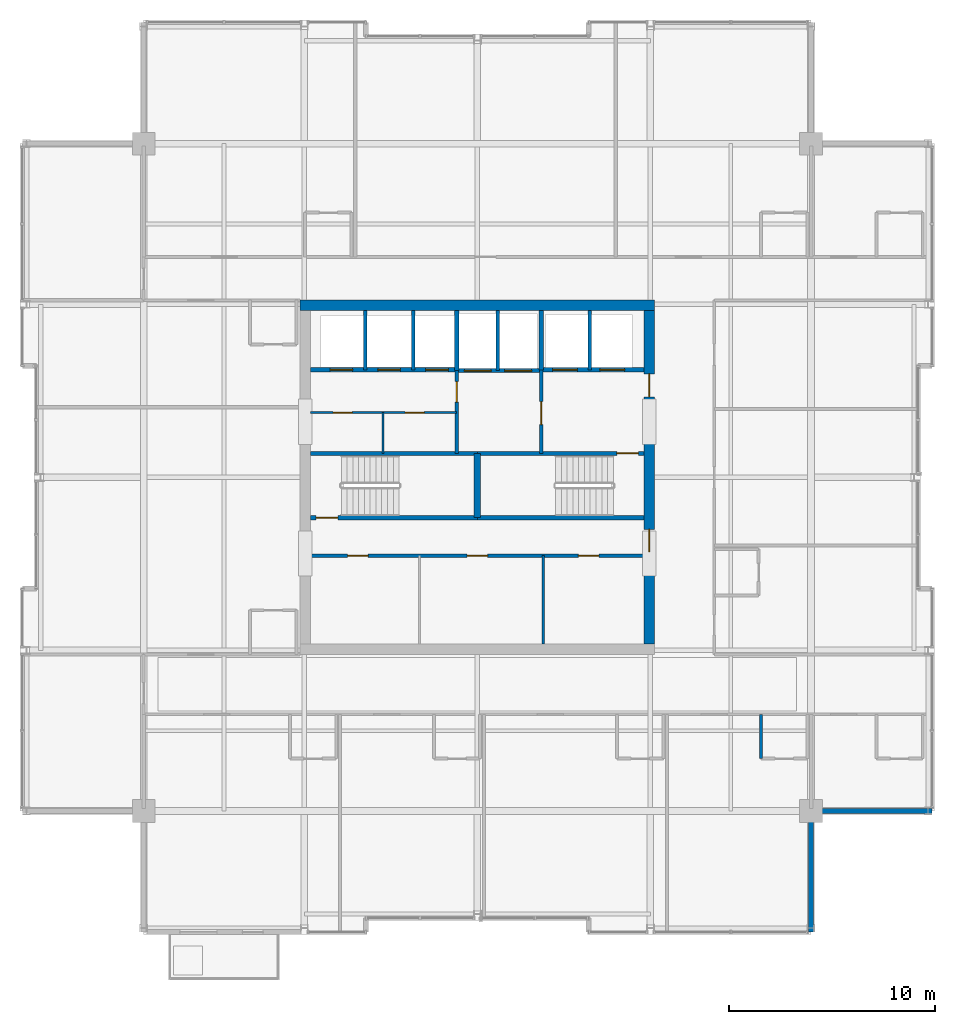
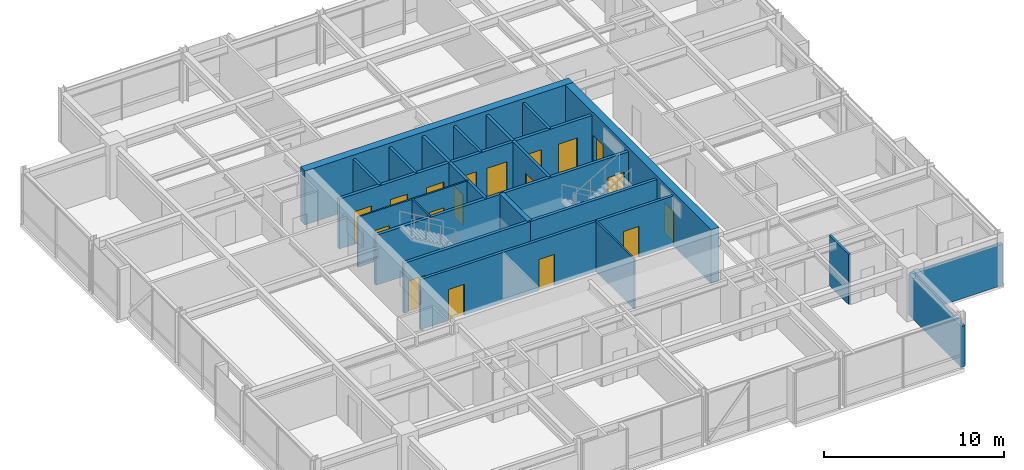
# One storey, part 29 of 34: 25 walls, 18 doors, 18 openings.
"""IFC4 building model written with IfcOpenShell, lengths in metres."""

import ifcopenshell
import ifcopenshell.guid

model = None  # the IFC model being written
_history = None  # IfcOwnerHistory: only IFC2X3 demands one
_inside = {}  # id of a spatial element -> (the spatial element, [elements in it])
_under = {}  # id of a project, library or spatial element -> (it, [spatial elements below it])
_declared = {}  # id of a project -> (the project, [libraries it declares])
_typed = {}  # id of a type object -> (the type object, [elements of that type])
_made_of = {}  # id of a material, layer set ... -> (it, [elements and type objects made of it])


def new_model(schema):
    """Start an empty IFC model of exactly this schema.

    Asked for "IFC4X3", IfcOpenShell would pick the latest addendum, in which some entities
    have other attributes; the version numbers below select the first issue.
    IFC2X3 requires an IfcOwnerHistory on every rooted entity: one is made here for all.
    """
    global model, _history
    if schema == "IFC4X3":
        model = ifcopenshell.file(schema_version=(4, 3, 0, 0))
    else:
        model = ifcopenshell.file(schema=schema)
    _inside.clear()
    _under.clear()
    _declared.clear()
    _typed.clear()
    _made_of.clear()
    _history = None
    if model.schema == "IFC2X3":
        org = make("IfcOrganization", Name="unknown")
        user = make(
            "IfcPersonAndOrganization",
            ThePerson=make("IfcPerson", FamilyName="unknown"),
            TheOrganization=org,
        )
        app = make(
            "IfcApplication",
            ApplicationDeveloper=org,
            Version="unknown",
            ApplicationFullName="unknown",
            ApplicationIdentifier="unknown",
        )
        _history = make(
            "IfcOwnerHistory",
            OwningUser=user,
            OwningApplication=app,
            ChangeAction="ADDED",
            CreationDate=0,
        )
    return model


def make(cls, **values):
    """One entity of the class cls with the attributes given. An attribute that is None is left unset."""
    return model.create_entity(
        cls, **{name: value for name, value in values.items() if value is not None}
    )


def rooted(cls, **values):
    """An entity with a GlobalId (a new one), such as an element, a storey or a relation."""
    return make(cls, GlobalId=ifcopenshell.guid.new(), OwnerHistory=_history, **values)


def si_unit(unit_type, name, prefix=None):
    """IfcSIUnit, for example si_unit("LENGTHUNIT", "METRE", prefix="MILLI")."""
    return make("IfcSIUnit", UnitType=unit_type, Prefix=prefix, Name=name)


def assignment(units):
    """IfcUnitAssignment: the units of a project."""
    return None if units is None else make("IfcUnitAssignment", Units=units)


def point(xyz):
    """IfcCartesianPoint."""
    return None if xyz is None else make("IfcCartesianPoint", Coordinates=xyz)


def direction(xyz):
    """IfcDirection."""
    return None if xyz is None else make("IfcDirection", DirectionRatios=xyz)


def frame(location, z_axis=None, x_axis=None):
    """IfcAxis2Placement3D, a coordinate frame: its origin and axes. An axis left out is left unset."""
    return make(
        "IfcAxis2Placement3D",
        Location=point(location),
        Axis=direction(z_axis),
        RefDirection=direction(x_axis),
    )


def frame_2d(location, x_axis=None):
    """IfcAxis2Placement2D, a coordinate frame in the plane: its origin and x axis."""
    return make(
        "IfcAxis2Placement2D", Location=point(location), RefDirection=direction(x_axis)
    )


def origin():
    """The frame at (0, 0, 0) with its axes left unset."""
    return frame((0.0, 0.0, 0.0))


def place(relative_to, where):
    """IfcLocalPlacement: puts the frame where relative to a parent placement (None: the world)."""
    return make(
        "IfcLocalPlacement", PlacementRelTo=relative_to, RelativePlacement=where
    )


def context(
    kind, dimensions, precision=None, world=None, true_north=None, identifier=None
):
    """IfcGeometricRepresentationContext, for example the 3D "Model" context."""
    return make(
        "IfcGeometricRepresentationContext",
        ContextIdentifier=identifier,
        ContextType=kind,
        CoordinateSpaceDimension=dimensions,
        Precision=precision,
        WorldCoordinateSystem=world,
        TrueNorth=true_north,
    )


def subcontext(parent, identifier, kind, view, scale=None):
    """IfcGeometricRepresentationSubContext, for example "Body" below "Model"."""
    return make(
        "IfcGeometricRepresentationSubContext",
        ContextIdentifier=identifier,
        ContextType=kind,
        ParentContext=parent,
        TargetScale=scale,
        TargetView=view,
    )


def project(units=None, contexts=None):
    """IfcProject with its units and contexts."""
    return rooted(
        "IfcProject",
        Name="project",
        RepresentationContexts=contexts,
        UnitsInContext=assignment(units),
    )


def spatial(cls, under=None, at=None, **own):
    """A site, building, storey or space (cls), placed at a placement, below another one or the project."""
    s = rooted(cls, ObjectPlacement=at, **own)
    if under is not None:
        _under.setdefault(under.id(), (under, []))[1].append(s)
    return s


def profile(cls, at=None, kind="AREA", **sizes):
    """A parametric profile (cls). Its sizes go by their IFC names, for example OverallWidth=200.0."""
    return make(cls, ProfileType=kind, Position=at, **sizes)


def rectangle(**sizes):
    """IfcRectangleProfileDef."""
    return profile("IfcRectangleProfileDef", **sizes)


def extrude(swept, where, along, depth):
    """IfcExtrudedAreaSolid: the profile swept, set in the frame where, extruded along a direction by depth."""
    return make(
        "IfcExtrudedAreaSolid",
        SweptArea=swept,
        Position=where,
        ExtrudedDirection=direction(along),
        Depth=depth,
    )


def shape(context_of_items, identifier, shape_type, items):
    """IfcShapeRepresentation: the items that make up one representation, for example the "Body"."""
    return make(
        "IfcShapeRepresentation",
        ContextOfItems=context_of_items,
        RepresentationIdentifier=identifier,
        RepresentationType=shape_type,
        Items=items,
    )


def material(Name=None, Category=None):
    """IfcMaterial."""
    return make("IfcMaterial", Name=Name, Category=Category)


def layer(
    of_material, thickness, ventilated=None, Name=None, Category=None, Priority=None
):
    """IfcMaterialLayer: one layer of a wall or slab, of a material (None: an air gap)."""
    return make(
        "IfcMaterialLayer",
        Material=of_material,
        LayerThickness=thickness,
        IsVentilated=ventilated,
        Name=Name,
        Category=Category,
        Priority=Priority,
    )


def layer_set(layers, Name=None):
    """IfcMaterialLayerSet."""
    return make("IfcMaterialLayerSet", MaterialLayers=layers, LayerSetName=Name)


def made_of(thing, what):
    """Note that an element or type object is made of a material, layer set ...; save() writes the relation."""
    if what is not None:
        _made_of.setdefault(what.id(), (what, []))[1].append(thing)
    return thing


def type_object(cls, material=None, **own):
    """A type object (cls), such as IfcWallType, which elements share."""
    return made_of(rooted(cls, **own), material)


def element(
    cls,
    number,
    at=None,
    inside=None,
    cuts=None,
    type_object=None,
    material=None,
    context=None,
    identifier="Body",
    shape_type=None,
    held_by="IfcProductDefinitionShape",
    body=None,
    shapes=None,
    **own,
):
    """One element of the class cls, such as IfcWall. Its Tag is "e" and its number.

    at: its placement. inside: the storey or other place that contains it. cuts: it is an
    opening in that element (IfcRelVoidsElement). A single representation is given by context,
    identifier, shape_type and body (its items); several are given by shapes. held_by: the class
    of the entity that holds the representations. save() writes the other relations.
    """
    e = rooted(cls, Tag="e%d" % number, ObjectPlacement=at, **own)
    if body is not None:
        shapes = [shape(context, identifier, shape_type, body)]
    if shapes is not None:
        e.Representation = make(held_by, Representations=shapes)
    if inside is not None:
        _inside.setdefault(inside.id(), (inside, []))[1].append(e)
    if cuts is not None:
        rooted(
            "IfcRelVoidsElement", RelatingBuildingElement=cuts, RelatedOpeningElement=e
        )
    if type_object is not None:
        _typed.setdefault(type_object.id(), (type_object, []))[1].append(e)
    return made_of(e, material)


def fill(opening, filler):
    """IfcRelFillsElement: the door or window that sits in an opening."""
    return rooted(
        "IfcRelFillsElement",
        RelatingOpeningElement=opening,
        RelatedBuildingElement=filler,
    )


def aggregate(whole, parts):
    """IfcRelAggregates: a whole, such as a stair, and the parts it consists of."""
    return rooted("IfcRelAggregates", RelatingObject=whole, RelatedObjects=parts)


def save(model, path):
    """Write the relations noted so far, then the file.

    IfcRelAggregates (storeys below a building ...), IfcRelContainedInSpatialStructure (elements
    in a storey), IfcRelDefinesByType, IfcRelAssociatesMaterial and IfcRelDeclares: one each for
    every whole, place, type object, material and project.
    """
    for whole, parts in _under.values():
        aggregate(whole, parts)
    for where, things in _inside.values():
        rooted(
            "IfcRelContainedInSpatialStructure",
            RelatedElements=things,
            RelatingStructure=where,
        )
    for kind, things in _typed.values():
        rooted("IfcRelDefinesByType", RelatedObjects=things, RelatingType=kind)
    for what, things in _made_of.values():
        rooted("IfcRelAssociatesMaterial", RelatedObjects=things, RelatingMaterial=what)
    for by, libraries in _declared.values():
        rooted("IfcRelDeclares", RelatingContext=by, RelatedDefinitions=libraries)
    model.write(path)


model = new_model("IFC4")

# Units and contexts
model_context = context("Model", 3, precision=1e-05, world=origin(), true_north=direction((0.0, 1.0)))
body_context = subcontext(model_context, "Body", "Model", "MODEL_VIEW")
ifc_project = project(units=[si_unit("LENGTHUNIT", "METRE"), si_unit("AREAUNIT", "SQUARE_METRE"), si_unit("VOLUMEUNIT", "CUBIC_METRE"), si_unit("PLANEANGLEUNIT", "RADIAN"), si_unit("MASSUNIT", "GRAM", prefix="KILO")], contexts=[model_context])

# Site, building, storey
site_placement = place(None, origin())
site = spatial("IfcSite", under=ifc_project, at=site_placement, CompositionType="ELEMENT")
building_placement = place(site_placement, origin())
building = spatial("IfcBuilding", under=site, at=building_placement, Name="Drelvath Grand Hotel", CompositionType="ELEMENT")
storey_placement = place(building_placement, frame((0.0, 0.0, 286.89990234375)))
storey = spatial("IfcBuildingStorey", under=building, at=storey_placement, Name="L75", CompositionType="ELEMENT", Elevation=286.89990234375)

# Wall, openings, doors
ifc_material_1 = material(Name="Gypsum Partition Board")
ifc_layer_1 = layer(ifc_material_1, 0.10009765625)
ifc_layer_set_1 = layer_set([ifc_layer_1], Name="Gypsum Partition Board")
wall_type_1 = type_object("IfcWallType", Name="Core Closet Partition 100", PredefinedType="PARTITIONING", material=ifc_layer_set_1)
wall_1_placement = place(storey_placement, frame((-8.10009765625, 30.139892578125, 0.0), z_axis=(0.0, 0.0, 1.0), x_axis=(1.0, 0.0, 0.0)))
wall_1 = element("IfcWall", 1, at=wall_1_placement, inside=storey, type_object=wall_type_1, Name="L75 High-Rise Lobby Closet Wall", PredefinedType="PARTITIONING", context=body_context, shape_type="SweptSolid", body=[
    extrude(rectangle(XDim=7.10009765625, YDim=0.10009765625, at=frame_2d((3.550048828125, 0.0))), origin(), (0.0, 0.0, 1.0), 3.39013671875),
])
opening_1_placement = place(wall_1_placement, frame((1.10009765625, 0.0, 0.0)))
opening_1 = element("IfcOpeningElement", 2, at=opening_1_placement, cuts=wall_1, Name="Opening D-T5G3-013", PredefinedType="OPENING", context=body_context, shape_type="SweptSolid", body=[
    extrude(rectangle(XDim=0.919921875, YDim=2.10009765625, at=frame_2d((0.4599609375, 1.050048828125))), frame((0.0, 0.06005859375, 0.0), z_axis=(0.0, -1.0, 0.0), x_axis=(1.0, 0.0, 0.0)), (0.0, 0.0, 1.0), 0.1201171875),
])
opening_2_placement = place(wall_1_placement, frame((4.60009765625, 0.0, 0.0)))
opening_2 = element("IfcOpeningElement", 3, at=opening_2_placement, cuts=wall_1, Name="Opening D-T5G3-014", PredefinedType="OPENING", context=body_context, shape_type="SweptSolid", body=[
    extrude(rectangle(XDim=0.919921875, YDim=2.10009765625, at=frame_2d((0.4599609375, 1.050048828125))), frame((0.0, 0.06005859375, 0.0), z_axis=(0.0, -1.0, 0.0), x_axis=(1.0, 0.0, 0.0)), (0.0, 0.0, 1.0), 0.1201171875),
])
ifc_material_2 = material(Name="Painted Steel S275", Category="steel")
door_type_1 = type_object("IfcDoorType", Name="Staff Utility Door 920x2100", OperationType="NOTDEFINED", PredefinedType="DOOR", material=ifc_material_2)
door_1_placement = place(opening_1_placement, origin())
door_1 = element("IfcDoor", 4, at=door_1_placement, inside=storey, type_object=door_type_1, Name="L75 Electrical Closet Door", OperationType="SINGLE_SWING_RIGHT", OverallHeight=2.10009765625, OverallWidth=0.919921875, PredefinedType="DOOR", context=body_context, shape_type="SweptSolid", body=[
    extrude(rectangle(XDim=0.919921875, YDim=2.10009765625, at=frame_2d((0.4599609375, 1.050048828125))), frame((0.0, 0.02490234375, 0.0), z_axis=(0.0, -1.0, 0.0), x_axis=(1.0, 0.0, 0.0)), (0.0, 0.0, 1.0), 0.050048828125),
])
fill(opening_1, door_1)
door_2_placement = place(opening_2_placement, origin())
door_2 = element("IfcDoor", 5, at=door_2_placement, inside=storey, type_object=door_type_1, Name="L75 Telecom Room Door", OperationType="SINGLE_SWING_LEFT", OverallHeight=2.10009765625, OverallWidth=0.919921875, PredefinedType="DOOR", context=body_context, shape_type="SweptSolid", body=[
    extrude(rectangle(XDim=0.919921875, YDim=2.10009765625, at=frame_2d((0.4599609375, 1.050048828125))), frame((0.0, 0.02490234375, 0.0), z_axis=(0.0, -1.0, 0.0), x_axis=(1.0, 0.0, 0.0)), (0.0, 0.0, 1.0), 0.050048828125),
])
fill(opening_2, door_2)

# Walls
wall_2_placement = place(storey_placement, frame((-4.580078125, 28.159912109375, 0.0), z_axis=(0.0, 0.0, 1.0), x_axis=(0.0, 1.0, 0.0)))
element("IfcWall", 6, at=wall_2_placement, inside=storey, type_object=wall_type_1, Name="L75 Core Closet Split 1", PredefinedType="PARTITIONING", context=body_context, shape_type="SweptSolid", body=[
    extrude(rectangle(XDim=1.97998046875, YDim=0.10009765625, at=frame_2d((0.989990234375, 0.0))), origin(), (0.0, 0.0, 1.0), 3.39013671875),
])
wall_3_placement = place(storey_placement, frame((3.199951171875, 18.89990234375, 0.0), z_axis=(0.0, 0.0, 1.0), x_axis=(0.0, 1.0, 0.0)))
element("IfcWall", 7, at=wall_3_placement, inside=storey, type_object=wall_type_1, Name="L75 Upper Core Split 1B", PredefinedType="PARTITIONING", context=body_context, shape_type="SweptSolid", body=[
    extrude(rectangle(XDim=4.300048828125, YDim=0.10009765625, at=frame_2d((2.14990234375, 0.0))), origin(), (0.0, 0.0, 1.0), 3.39013671875),
])

# Wall, openings, doors
ifc_material_3 = material(Name="Concrete C40/50", Category="concrete")
ifc_layer_2 = layer(ifc_material_3, 0.199951171875)
ifc_layer_set_2 = layer_set([ifc_layer_2], Name="Concrete C40/50")
wall_type_2 = type_object("IfcWallType", Name="Core Hoistway Fire Wall 200", PredefinedType="SOLIDWALL", material=ifc_layer_set_2)
wall_4_placement = place(storey_placement, frame((3.10009765625, 32.219970703125, 0.0), z_axis=(0.0, 0.0, 1.0), x_axis=(1.0, 0.0, 0.0)))
wall_4 = element("IfcWall", 8, at=wall_4_placement, inside=storey, type_object=wall_type_2, Name="L75 FSAE Hoistway Front Wall", PredefinedType="SOLIDWALL", context=body_context, shape_type="SweptSolid", body=[
    extrude(rectangle(XDim=5.0, YDim=0.199951171875, at=frame_2d((2.5, 0.0))), origin(), (0.0, 0.0, 1.0), 3.39013671875),
])
opening_3_placement = place(wall_4_placement, frame((0.550048828125, 0.0, 0.0)))
opening_3 = element("IfcOpeningElement", 9, at=opening_3_placement, cuts=wall_4, Name="Opening LD-FSAE-1", PredefinedType="OPENING", context=body_context, shape_type="SweptSolid", body=[
    extrude(rectangle(XDim=1.199951171875, YDim=2.199951171875, at=frame_2d((0.60009765625, 1.10009765625))), frame((0.0, 0.10986328125, 0.0), z_axis=(0.0, -1.0, 0.0), x_axis=(1.0, 0.0, 0.0)), (0.0, 0.0, 1.0), 0.219970703125),
])
opening_4_placement = place(wall_4_placement, frame((2.85009765625, 0.0, 0.0)))
opening_4 = element("IfcOpeningElement", 10, at=opening_4_placement, cuts=wall_4, Name="Opening LD-FSAE-2", PredefinedType="OPENING", context=body_context, shape_type="SweptSolid", body=[
    extrude(rectangle(XDim=1.199951171875, YDim=2.199951171875, at=frame_2d((0.60009765625, 1.10009765625))), frame((0.0, 0.10986328125, 0.0), z_axis=(0.0, -1.0, 0.0), x_axis=(1.0, 0.0, 0.0)), (0.0, 0.0, 1.0), 0.219970703125),
])
ifc_material_4 = material(Name="Stainless Steel S355", Category="steel")
door_type_2 = type_object("IfcDoorType", Name="FSAE Lift Sliding Landing Door 1200x2200", OperationType="NOTDEFINED", PredefinedType="DOOR", material=ifc_material_4)
door_3_placement = place(opening_3_placement, origin())
door_3 = element("IfcDoor", 11, at=door_3_placement, inside=storey, type_object=door_type_2, Name="L75 Lift FSAE-1 Landing Door", OperationType="SLIDING_TO_LEFT", OverallHeight=2.199951171875, OverallWidth=1.199951171875, PredefinedType="DOOR", context=body_context, shape_type="SweptSolid", body=[
    extrude(rectangle(XDim=1.199951171875, YDim=2.199951171875, at=frame_2d((0.60009765625, 1.10009765625))), frame((0.0, 0.02490234375, 0.0), z_axis=(0.0, -1.0, 0.0), x_axis=(1.0, 0.0, 0.0)), (0.0, 0.0, 1.0), 0.050048828125),
])
fill(opening_3, door_3)
door_4_placement = place(opening_4_placement, origin())
door_4 = element("IfcDoor", 12, at=door_4_placement, inside=storey, type_object=door_type_2, Name="L75 Lift FSAE-2 Landing Door", OperationType="SLIDING_TO_LEFT", OverallHeight=2.199951171875, OverallWidth=1.199951171875, PredefinedType="DOOR", context=body_context, shape_type="SweptSolid", body=[
    extrude(rectangle(XDim=1.199951171875, YDim=2.199951171875, at=frame_2d((0.60009765625, 1.10009765625))), frame((0.0, 0.02490234375, 0.0), z_axis=(0.0, -1.0, 0.0), x_axis=(1.0, 0.0, 0.0)), (0.0, 0.0, 1.0), 0.050048828125),
])
fill(opening_4, door_4)

# Wall
wall_5_placement = place(storey_placement, frame((3.10009765625, 32.219970703125, 0.0), z_axis=(0.0, 0.0, 1.0), x_axis=(0.0, 1.0, 0.0)))
element("IfcWall", 13, at=wall_5_placement, inside=storey, type_object=wall_type_2, Name="L75 FSAE Hoistway West Wall", PredefinedType="SOLIDWALL", context=body_context, shape_type="SweptSolid", body=[
    extrude(rectangle(XDim=2.880126953125, YDim=0.199951171875, at=frame_2d((1.43994140625, 0.0))), origin(), (0.0, 0.0, 1.0), 3.39013671875),
])

# Wall, openings, doors
wall_6_placement = place(storey_placement, frame((-1.0, 32.179931640625, 0.0), z_axis=(0.0, 0.0, 1.0), x_axis=(1.0, 0.0, 0.0)))
wall_6 = element("IfcWall", 14, at=wall_6_placement, inside=storey, type_object=wall_type_2, Name="L75 Service Lift Hoistway Wall", PredefinedType="SOLIDWALL", context=body_context, shape_type="SweptSolid", body=[
    extrude(rectangle(XDim=4.10009765625, YDim=0.199951171875, at=frame_2d((2.050048828125, 0.0))), origin(), (0.0, 0.0, 1.0), 3.39013671875),
])
opening_5_placement = place(wall_6_placement, frame((0.3701171875, 0.0, 0.0)))
opening_5 = element("IfcOpeningElement", 15, at=opening_5_placement, cuts=wall_6, Name="Opening LD-SV-2", PredefinedType="OPENING", context=body_context, shape_type="SweptSolid", body=[
    extrude(rectangle(XDim=1.300048828125, YDim=2.199951171875, at=frame_2d((0.64990234375, 1.10009765625))), frame((0.0, 0.10986328125, 0.0), z_axis=(0.0, -1.0, 0.0), x_axis=(1.0, 0.0, 0.0)), (0.0, 0.0, 1.0), 0.219970703125),
])
opening_6_placement = place(wall_6_placement, frame((2.330078125, 0.0, 0.0)))
opening_6 = element("IfcOpeningElement", 16, at=opening_6_placement, cuts=wall_6, Name="Opening LD-SV-1", PredefinedType="OPENING", context=body_context, shape_type="SweptSolid", body=[
    extrude(rectangle(XDim=1.300048828125, YDim=2.199951171875, at=frame_2d((0.64990234375, 1.10009765625))), frame((0.0, 0.10986328125, 0.0), z_axis=(0.0, -1.0, 0.0), x_axis=(1.0, 0.0, 0.0)), (0.0, 0.0, 1.0), 0.219970703125),
])
door_type_3 = type_object("IfcDoorType", Name="Service Lift Sliding Landing Door 1300x2200", OperationType="NOTDEFINED", PredefinedType="DOOR", material=ifc_material_4)
door_5_placement = place(opening_5_placement, origin())
door_5 = element("IfcDoor", 17, at=door_5_placement, inside=storey, type_object=door_type_3, Name="L75 Lift SV-2 Landing Door", OperationType="SLIDING_TO_LEFT", OverallHeight=2.199951171875, OverallWidth=1.300048828125, PredefinedType="DOOR", context=body_context, shape_type="SweptSolid", body=[
    extrude(rectangle(XDim=1.300048828125, YDim=2.199951171875, at=frame_2d((0.64990234375, 1.10009765625))), frame((0.0, 0.02490234375, 0.0), z_axis=(0.0, -1.0, 0.0), x_axis=(1.0, 0.0, 0.0)), (0.0, 0.0, 1.0), 0.050048828125),
])
fill(opening_5, door_5)
door_6_placement = place(opening_6_placement, origin())
door_6 = element("IfcDoor", 18, at=door_6_placement, inside=storey, type_object=door_type_3, Name="L75 Lift SV-1 Landing Door", OperationType="SLIDING_TO_LEFT", OverallHeight=2.199951171875, OverallWidth=1.300048828125, PredefinedType="DOOR", context=body_context, shape_type="SweptSolid", body=[
    extrude(rectangle(XDim=1.300048828125, YDim=2.199951171875, at=frame_2d((0.64990234375, 1.10009765625))), frame((0.0, 0.02490234375, 0.0), z_axis=(0.0, -1.0, 0.0), x_axis=(1.0, 0.0, 0.0)), (0.0, 0.0, 1.0), 0.050048828125),
])
fill(opening_6, door_6)

# Wall
wall_7_placement = place(storey_placement, frame((-1.0, 32.179931640625, 0.0), z_axis=(0.0, 0.0, 1.0), x_axis=(0.0, 1.0, 0.0)))
element("IfcWall", 19, at=wall_7_placement, inside=storey, type_object=wall_type_2, Name="L75 Service Lift West Wall", PredefinedType="SOLIDWALL", context=body_context, shape_type="SweptSolid", body=[
    extrude(rectangle(XDim=2.920166015625, YDim=0.199951171875, at=frame_2d((1.4599609375, 0.0))), origin(), (0.0, 0.0, 1.0), 3.39013671875),
])

# Wall, openings, doors
wall_8_placement = place(storey_placement, frame((-8.10009765625, 32.219970703125, 0.0), z_axis=(0.0, 0.0, 1.0), x_axis=(1.0, 0.0, 0.0)))
wall_8 = element("IfcWall", 20, at=wall_8_placement, inside=storey, type_object=wall_type_2, Name="L75 Bank 3 Hoistway Wall", PredefinedType="SOLIDWALL", context=body_context, shape_type="SweptSolid", body=[
    extrude(rectangle(XDim=7.10009765625, YDim=0.199951171875, at=frame_2d((3.550048828125, 0.0))), origin(), (0.0, 0.0, 1.0), 3.39013671875),
])
opening_7_placement = place(wall_8_placement, frame((0.949951171875, 0.0, 0.0)))
opening_7 = element("IfcOpeningElement", 21, at=opening_7_placement, cuts=wall_8, Name="Opening LD-PE-7", PredefinedType="OPENING", context=body_context, shape_type="SweptSolid", body=[
    extrude(rectangle(XDim=1.10009765625, YDim=2.199951171875, at=frame_2d((0.550048828125, 1.10009765625))), frame((0.0, 0.10986328125, 0.0), z_axis=(0.0, -1.0, 0.0), x_axis=(1.0, 0.0, 0.0)), (0.0, 0.0, 1.0), 0.219970703125),
])
opening_8_placement = place(wall_8_placement, frame((3.27001953125, 0.0, 0.0)))
opening_8 = element("IfcOpeningElement", 22, at=opening_8_placement, cuts=wall_8, Name="Opening LD-PE-8", PredefinedType="OPENING", context=body_context, shape_type="SweptSolid", body=[
    extrude(rectangle(XDim=1.10009765625, YDim=2.199951171875, at=frame_2d((0.550048828125, 1.10009765625))), frame((0.0, 0.10986328125, 0.0), z_axis=(0.0, -1.0, 0.0), x_axis=(1.0, 0.0, 0.0)), (0.0, 0.0, 1.0), 0.219970703125),
])
opening_9_placement = place(wall_8_placement, frame((5.590087890625, 0.0, 0.0)))
opening_9 = element("IfcOpeningElement", 23, at=opening_9_placement, cuts=wall_8, Name="Opening LD-PE-9", PredefinedType="OPENING", context=body_context, shape_type="SweptSolid", body=[
    extrude(rectangle(XDim=1.10009765625, YDim=2.199951171875, at=frame_2d((0.550048828125, 1.10009765625))), frame((0.0, 0.10986328125, 0.0), z_axis=(0.0, -1.0, 0.0), x_axis=(1.0, 0.0, 0.0)), (0.0, 0.0, 1.0), 0.219970703125),
])
door_type_4 = type_object("IfcDoorType", Name="Passenger Lift Sliding Landing Door 1100x2200", OperationType="NOTDEFINED", PredefinedType="DOOR", material=ifc_material_4)
door_7_placement = place(opening_7_placement, origin())
door_7 = element("IfcDoor", 24, at=door_7_placement, inside=storey, type_object=door_type_4, Name="L75 Lift PE-7 Landing Door", OperationType="SLIDING_TO_LEFT", OverallHeight=2.199951171875, OverallWidth=1.10009765625, PredefinedType="DOOR", context=body_context, shape_type="SweptSolid", body=[
    extrude(rectangle(XDim=1.10009765625, YDim=2.199951171875, at=frame_2d((0.550048828125, 1.10009765625))), frame((0.0, 0.02490234375, 0.0), z_axis=(0.0, -1.0, 0.0), x_axis=(1.0, 0.0, 0.0)), (0.0, 0.0, 1.0), 0.050048828125),
])
fill(opening_7, door_7)
door_8_placement = place(opening_8_placement, origin())
door_8 = element("IfcDoor", 25, at=door_8_placement, inside=storey, type_object=door_type_4, Name="L75 Lift PE-8 Landing Door", OperationType="SLIDING_TO_LEFT", OverallHeight=2.199951171875, OverallWidth=1.10009765625, PredefinedType="DOOR", context=body_context, shape_type="SweptSolid", body=[
    extrude(rectangle(XDim=1.10009765625, YDim=2.199951171875, at=frame_2d((0.550048828125, 1.10009765625))), frame((0.0, 0.02490234375, 0.0), z_axis=(0.0, -1.0, 0.0), x_axis=(1.0, 0.0, 0.0)), (0.0, 0.0, 1.0), 0.050048828125),
])
fill(opening_8, door_8)
door_9_placement = place(opening_9_placement, origin())
door_9 = element("IfcDoor", 26, at=door_9_placement, inside=storey, type_object=door_type_4, Name="L75 Lift PE-9 Landing Door", OperationType="SLIDING_TO_LEFT", OverallHeight=2.199951171875, OverallWidth=1.10009765625, PredefinedType="DOOR", context=body_context, shape_type="SweptSolid", body=[
    extrude(rectangle(XDim=1.10009765625, YDim=2.199951171875, at=frame_2d((0.550048828125, 1.10009765625))), frame((0.0, 0.02490234375, 0.0), z_axis=(0.0, -1.0, 0.0), x_axis=(1.0, 0.0, 0.0)), (0.0, 0.0, 1.0), 0.050048828125),
])
fill(opening_9, door_9)

# Wall, opening, door
ifc_layer_3 = layer(ifc_material_3, 0.199951171875)
ifc_layer_set_3 = layer_set([ifc_layer_3], Name="Concrete C40/50")
wall_type_3 = type_object("IfcWallType", Name="Core Shaft Fire Wall 200", PredefinedType="SOLIDWALL", material=ifc_layer_set_3)
wall_9_placement = place(storey_placement, frame((-8.10009765625, 25.0400390625, 0.0), z_axis=(0.0, 0.0, 1.0), x_axis=(1.0, 0.0, 0.0)))
wall_9 = element("IfcWall", 27, at=wall_9_placement, inside=storey, type_object=wall_type_3, Name="L75 Stair ST-1 South Wall", PredefinedType="SOLIDWALL", context=body_context, shape_type="SweptSolid", body=[
    extrude(rectangle(XDim=8.10009765625, YDim=0.199951171875, at=frame_2d((4.050048828125, 0.0))), origin(), (0.0, 0.0, 1.0), 3.39013671875),
])
opening_10_placement = place(wall_9_placement, frame((0.280029296875, 0.0, 0.0)))
opening_10 = element("IfcOpeningElement", 28, at=opening_10_placement, cuts=wall_9, Name="Opening D-T5G3-001", PredefinedType="OPENING", context=body_context, shape_type="SweptSolid", body=[
    extrude(rectangle(XDim=1.050048828125, YDim=2.10009765625, at=frame_2d((0.52490234375, 1.050048828125))), frame((0.0, 0.10986328125, 0.0), z_axis=(0.0, -1.0, 0.0), x_axis=(1.0, 0.0, 0.0)), (0.0, 0.0, 1.0), 0.219970703125),
])
door_type_5 = type_object("IfcDoorType", Name="Tower Stairwell Fire Door 1050x2100", OperationType="NOTDEFINED", PredefinedType="DOOR", material=ifc_material_2)
door_10_placement = place(opening_10_placement, origin())
door_10 = element("IfcDoor", 29, at=door_10_placement, inside=storey, type_object=door_type_5, Name="L75 Exit Stair ST-1 Door", OperationType="SINGLE_SWING_LEFT", OverallHeight=2.10009765625, OverallWidth=1.050048828125, PredefinedType="DOOR", context=body_context, shape_type="SweptSolid", body=[
    extrude(rectangle(XDim=1.050048828125, YDim=2.10009765625, at=frame_2d((0.52490234375, 1.050048828125))), frame((0.0, 0.02490234375, 0.0), z_axis=(0.0, -1.0, 0.0), x_axis=(1.0, 0.0, 0.0)), (0.0, 0.0, 1.0), 0.050048828125),
])
fill(opening_10, door_10)

# Walls
for number, where, z_axis, x_axis, name in (
    (30, (-8.10009765625, 28.159912109375, 0.0), (0.0, 0.0, 1.0), (1.0, 0.0, 0.0), "L75 Stair ST-1 North Wall"),
    (31, (0.0, 25.0400390625, 0.0), (0.0, 0.0, 1.0), (1.0, 0.0, 0.0), "L75 Stair ST-2 South Wall"),
):
    element("IfcWall", number, at=place(storey_placement, frame(where, z_axis=z_axis, x_axis=x_axis)), inside=storey, type_object=wall_type_3, Name=name, PredefinedType="SOLIDWALL", context=body_context, shape_type="SweptSolid", body=[
        extrude(rectangle(XDim=8.10009765625, YDim=0.199951171875, at=frame_2d((4.050048828125, 0.0))), origin(), (0.0, 0.0, 1.0), 3.39013671875),
    ])

# Wall, opening, door
wall_10_placement = place(storey_placement, frame((8.10009765625, 28.159912109375, 0.0), z_axis=(0.0, 0.0, 1.0), x_axis=(-1.0, 0.0, 0.0)))
wall_10 = element("IfcWall", 32, at=wall_10_placement, inside=storey, type_object=wall_type_3, Name="L75 Stair ST-2 North Wall", PredefinedType="SOLIDWALL", context=body_context, shape_type="SweptSolid", body=[
    extrude(rectangle(XDim=8.10009765625, YDim=0.199951171875, at=frame_2d((4.050048828125, 0.0))), origin(), (0.0, 0.0, 1.0), 3.39013671875),
])
opening_11_placement = place(wall_10_placement, frame((0.280029296875, 0.0, 0.0)))
opening_11 = element("IfcOpeningElement", 33, at=opening_11_placement, cuts=wall_10, Name="Opening D-T5G3-002", PredefinedType="OPENING", context=body_context, shape_type="SweptSolid", body=[
    extrude(rectangle(XDim=1.050048828125, YDim=2.10009765625, at=frame_2d((0.52490234375, 1.050048828125))), frame((0.0, 0.10986328125, 0.0), z_axis=(0.0, -1.0, 0.0), x_axis=(1.0, 0.0, 0.0)), (0.0, 0.0, 1.0), 0.219970703125),
])
door_11_placement = place(opening_11_placement, origin())
door_11 = element("IfcDoor", 34, at=door_11_placement, inside=storey, type_object=door_type_5, Name="L75 Exit Stair ST-2 Door", OperationType="SINGLE_SWING_LEFT", OverallHeight=2.10009765625, OverallWidth=1.050048828125, PredefinedType="DOOR", context=body_context, shape_type="SweptSolid", body=[
    extrude(rectangle(XDim=1.050048828125, YDim=2.10009765625, at=frame_2d((0.52490234375, 1.050048828125))), frame((0.0, 0.02490234375, 0.0), z_axis=(0.0, -1.0, 0.0), x_axis=(1.0, 0.0, 0.0)), (0.0, 0.0, 1.0), 0.050048828125),
])
fill(opening_11, door_11)

# Walls
ifc_layer_4 = layer(ifc_material_3, 0.300048828125)
ifc_layer_set_4 = layer_set([ifc_layer_4], Name="Concrete C40/50")
wall_type_4 = type_object("IfcWallType", Name="Core Shaft Fire Wall 300", PredefinedType="SOLIDWALL", material=ifc_layer_set_4)
wall_11_placement = place(storey_placement, frame((0.0, 25.0400390625, 0.0), z_axis=(0.0, 0.0, 1.0), x_axis=(0.0, 1.0, 0.0)))
element("IfcWall", 35, at=wall_11_placement, inside=storey, type_object=wall_type_4, Name="L75 Core Stair Divider Wall", PredefinedType="SOLIDWALL", context=body_context, shape_type="SweptSolid", body=[
    extrude(rectangle(XDim=3.119873046875, YDim=0.300048828125, at=frame_2d((1.56005859375, 0.0))), origin(), (0.0, 0.0, 1.0), 3.39013671875),
])
ifc_material_5 = material(Name="Gypsum Fireboard Partition")
ifc_layer_5 = layer(ifc_material_5, 0.1650390625)
ifc_layer_set_5 = layer_set([ifc_layer_5], Name="Gypsum Fireboard Partition")
wall_type_5 = type_object("IfcWallType", Name="Core Shaft Partition 165", PredefinedType="PARTITIONING", material=ifc_layer_set_5)
wall_12_placement = place(storey_placement, frame((5.449951171875, 32.219970703125, 0.0), z_axis=(0.0, 0.0, 1.0), x_axis=(0.0, 1.0, 0.0)))
element("IfcWall", 36, at=wall_12_placement, inside=storey, type_object=wall_type_5, Name="L75 FSAE Hoistway Divider", PredefinedType="PARTITIONING", context=body_context, shape_type="SweptSolid", body=[
    extrude(rectangle(XDim=2.880126953125, YDim=0.1650390625, at=frame_2d((1.43994140625, 0.0))), origin(), (0.0, 0.0, 1.0), 3.39013671875),
])
wall_13_placement = place(storey_placement, frame((1.0, 32.179931640625, 0.0), z_axis=(0.0, 0.0, 1.0), x_axis=(0.0, 1.0, 0.0)))
element("IfcWall", 37, at=wall_13_placement, inside=storey, type_object=wall_type_5, Name="L75 Service Lift Divider", PredefinedType="PARTITIONING", context=body_context, shape_type="SweptSolid", body=[
    extrude(rectangle(XDim=2.920166015625, YDim=0.1650390625, at=frame_2d((1.4599609375, 0.0))), origin(), (0.0, 0.0, 1.0), 3.39013671875),
])
for number, where, z_axis, x_axis, name in (
    (38, (-5.43994140625, 32.219970703125, 0.0), (0.0, 0.0, 1.0), (0.0, 1.0, 0.0), "L75 Lift PE-7/8 Divider"),
    (39, (-3.1201171875, 32.219970703125, 0.0), (0.0, 0.0, 1.0), (0.0, 1.0, 0.0), "L75 Lift PE-8/9 Divider"),
):
    element("IfcWall", number, at=place(storey_placement, frame(where, z_axis=z_axis, x_axis=x_axis)), inside=storey, type_object=wall_type_5, Name=name, PredefinedType="PARTITIONING", context=body_context, shape_type="SweptSolid", body=[
        extrude(rectangle(XDim=2.880126953125, YDim=0.1650390625, at=frame_2d((1.43994140625, 0.0))), origin(), (0.0, 0.0, 1.0), 3.39013671875),
    ])
ifc_material_6 = material(Name="Moisture-Resistant Gypsum Board")
ifc_layer_6 = layer(ifc_material_6, 0.139892578125)
ifc_layer_set_6 = layer_set([ifc_layer_6], Name="Moisture-Resistant Gypsum Board")
wall_type_6 = type_object("IfcWallType", Name="En-Suite Plumbing Wall 140", PredefinedType="PLUMBINGWALL", material=ifc_layer_set_6)
wall_14_placement = place(storey_placement, frame((13.77001953125, 15.5, 0.0), z_axis=(0.0, 0.0, 1.0), x_axis=(0.0, -1.0, 0.0)))
element("IfcWall", 40, at=wall_14_placement, inside=storey, type_object=wall_type_6, Name="L75 En-Suite Left Wall", PredefinedType="PLUMBINGWALL", context=body_context, shape_type="SweptSolid", body=[
    extrude(rectangle(XDim=2.14990234375, YDim=0.139892578125, at=frame_2d((1.074951171875, 0.0))), origin(), (0.0, 0.0, 1.0), 3.39013671875),
])

# Wall, opening, door
ifc_layer_7 = layer(ifc_material_5, 0.179931640625)
ifc_layer_set_7 = layer_set([ifc_layer_7], Name="Gypsum Fireboard Partition")
wall_type_7 = type_object("IfcWallType", Name="FSAE Smoke Lobby Fire Wall 180", PredefinedType="SOLIDWALL", material=ifc_layer_set_7)
wall_15_placement = place(storey_placement, frame((3.10009765625, 28.159912109375, 0.0), z_axis=(0.0, 0.0, 1.0), x_axis=(0.0, 1.0, 0.0)))
wall_15 = element("IfcWall", 41, at=wall_15_placement, inside=storey, type_object=wall_type_7, Name="L75 FSAE Smoke Lobby West Wall", PredefinedType="SOLIDWALL", context=body_context, shape_type="SweptSolid", body=[
    extrude(rectangle(XDim=4.06005859375, YDim=0.179931640625, at=frame_2d((2.030029296875, 0.0))), origin(), (0.0, 0.0, 1.0), 3.39013671875),
])
opening_12_placement = place(wall_15_placement, frame((1.39990234375, 0.0, 0.0)))
opening_12 = element("IfcOpeningElement", 42, at=opening_12_placement, cuts=wall_15, Name="Opening D-T5G3-005", PredefinedType="OPENING", context=body_context, shape_type="SweptSolid", body=[
    extrude(rectangle(XDim=1.1201171875, YDim=2.10009765625, at=frame_2d((0.56005859375, 1.050048828125))), frame((0.0, 0.099853515625, 0.0), z_axis=(0.0, -1.0, 0.0), x_axis=(1.0, 0.0, 0.0)), (0.0, 0.0, 1.0), 0.199951171875),
])
door_type_6 = type_object("IfcDoorType", Name="FSAE Smoke Lobby Fire Door 1120x2100", OperationType="NOTDEFINED", PredefinedType="DOOR", material=ifc_material_2)
door_12_placement = place(opening_12_placement, origin())
door_12 = element("IfcDoor", 43, at=door_12_placement, inside=storey, type_object=door_type_6, Name="L75 FSAE Lobby Service Vestibule Door", OperationType="SINGLE_SWING_RIGHT", OverallHeight=2.10009765625, OverallWidth=1.1201171875, PredefinedType="DOOR", context=body_context, shape_type="SweptSolid", body=[
    extrude(rectangle(XDim=1.1201171875, YDim=2.10009765625, at=frame_2d((0.56005859375, 1.050048828125))), frame((0.0, 0.02490234375, 0.0), z_axis=(0.0, -1.0, 0.0), x_axis=(1.0, 0.0, 0.0)), (0.0, 0.0, 1.0), 0.050048828125),
])
fill(opening_12, door_12)

wall_16_placement = place(storey_placement, frame((-1.0, 28.159912109375, 0.0), z_axis=(0.0, 0.0, 1.0), x_axis=(0.0, 1.0, 0.0)))
wall_16 = element("IfcWall", 44, at=wall_16_placement, inside=storey, type_object=wall_type_7, Name="L75 Service Vestibule West Wall", PredefinedType="SOLIDWALL", context=body_context, shape_type="SweptSolid", body=[
    extrude(rectangle(XDim=4.02001953125, YDim=0.179931640625, at=frame_2d((2.010009765625, 0.0))), origin(), (0.0, 0.0, 1.0), 3.39013671875),
])
opening_13_placement = place(wall_16_placement, frame((2.489990234375, 0.0, 0.0)))
opening_13 = element("IfcOpeningElement", 45, at=opening_13_placement, cuts=wall_16, Name="Opening D-T5G3-009", PredefinedType="OPENING", context=body_context, shape_type="SweptSolid", body=[
    extrude(rectangle(XDim=1.0, YDim=2.10009765625, at=frame_2d((0.5, 1.050048828125))), frame((0.0, 0.099853515625, 0.0), z_axis=(0.0, -1.0, 0.0), x_axis=(1.0, 0.0, 0.0)), (0.0, 0.0, 1.0), 0.199951171875),
])
door_type_7 = type_object("IfcDoorType", Name="Core Service Fire Door 1000x2100", OperationType="NOTDEFINED", PredefinedType="DOOR", material=ifc_material_2)
door_13_placement = place(opening_13_placement, origin())
door_13 = element("IfcDoor", 46, at=door_13_placement, inside=storey, type_object=door_type_7, Name="L75 Service Vestibule West Door", OperationType="SINGLE_SWING_LEFT", OverallHeight=2.10009765625, OverallWidth=1.0, PredefinedType="DOOR", context=body_context, shape_type="SweptSolid", body=[
    extrude(rectangle(XDim=1.0, YDim=2.10009765625, at=frame_2d((0.5, 1.050048828125))), frame((0.0, 0.02490234375, 0.0), z_axis=(0.0, -1.0, 0.0), x_axis=(1.0, 0.0, 0.0)), (0.0, 0.0, 1.0), 0.050048828125),
])
fill(opening_13, door_13)

# Wall, openings, doors
wall_17_placement = place(storey_placement, frame((-8.10009765625, 23.199951171875, 0.0), z_axis=(0.0, 0.0, 1.0), x_axis=(1.0, 0.0, 0.0)))
wall_17 = element("IfcWall", 47, at=wall_17_placement, inside=storey, type_object=wall_type_7, Name="L75 Upper Reclaimed Core Wall", PredefinedType="SOLIDWALL", context=body_context, shape_type="SweptSolid", body=[
    extrude(rectangle(XDim=16.2001953125, YDim=0.179931640625, at=frame_2d((8.10009765625, 0.0))), origin(), (0.0, 0.0, 1.0), 3.39013671875),
])
opening_14_placement = place(wall_17_placement, frame((1.800048828125, 0.0, 0.0)))
opening_14 = element("IfcOpeningElement", 48, at=opening_14_placement, cuts=wall_17, Name="Opening D-T5G3-016", PredefinedType="OPENING", context=body_context, shape_type="SweptSolid", body=[
    extrude(rectangle(XDim=1.0, YDim=2.10009765625, at=frame_2d((0.5, 1.050048828125))), frame((0.0, 0.099853515625, 0.0), z_axis=(0.0, -1.0, 0.0), x_axis=(1.0, 0.0, 0.0)), (0.0, 0.0, 1.0), 0.199951171875),
])
opening_15_placement = place(wall_17_placement, frame((7.60009765625, 0.0, 0.0)))
opening_15 = element("IfcOpeningElement", 49, at=opening_15_placement, cuts=wall_17, Name="Opening D-T5G3-017", PredefinedType="OPENING", context=body_context, shape_type="SweptSolid", body=[
    extrude(rectangle(XDim=1.0, YDim=2.10009765625, at=frame_2d((0.5, 1.050048828125))), frame((0.0, 0.099853515625, 0.0), z_axis=(0.0, -1.0, 0.0), x_axis=(1.0, 0.0, 0.0)), (0.0, 0.0, 1.0), 0.199951171875),
])
opening_16_placement = place(wall_17_placement, frame((13.0, 0.0, 0.0)))
opening_16 = element("IfcOpeningElement", 50, at=opening_16_placement, cuts=wall_17, Name="Opening D-T5G3-018", PredefinedType="OPENING", context=body_context, shape_type="SweptSolid", body=[
    extrude(rectangle(XDim=1.0, YDim=2.10009765625, at=frame_2d((0.5, 1.050048828125))), frame((0.0, 0.099853515625, 0.0), z_axis=(0.0, -1.0, 0.0), x_axis=(1.0, 0.0, 0.0)), (0.0, 0.0, 1.0), 0.199951171875),
])
door_14_placement = place(opening_14_placement, origin())
door_14 = element("IfcDoor", 51, at=door_14_placement, inside=storey, type_object=door_type_7, Name="L75 Housekeeping Door", OperationType="SINGLE_SWING_LEFT", OverallHeight=2.10009765625, OverallWidth=1.0, PredefinedType="DOOR", context=body_context, shape_type="SweptSolid", body=[
    extrude(rectangle(XDim=1.0, YDim=2.10009765625, at=frame_2d((0.5, 1.050048828125))), frame((0.0, 0.02490234375, 0.0), z_axis=(0.0, -1.0, 0.0), x_axis=(1.0, 0.0, 0.0)), (0.0, 0.0, 1.0), 0.050048828125),
])
fill(opening_14, door_14)
door_15_placement = place(opening_15_placement, origin())
door_15 = element("IfcDoor", 52, at=door_15_placement, inside=storey, type_object=door_type_7, Name="L75 Prep Pantry Door", OperationType="SINGLE_SWING_RIGHT", OverallHeight=2.10009765625, OverallWidth=1.0, PredefinedType="DOOR", context=body_context, shape_type="SweptSolid", body=[
    extrude(rectangle(XDim=1.0, YDim=2.10009765625, at=frame_2d((0.5, 1.050048828125))), frame((0.0, 0.02490234375, 0.0), z_axis=(0.0, -1.0, 0.0), x_axis=(1.0, 0.0, 0.0)), (0.0, 0.0, 1.0), 0.050048828125),
])
fill(opening_15, door_15)
door_16_placement = place(opening_16_placement, origin())
door_16 = element("IfcDoor", 53, at=door_16_placement, inside=storey, type_object=door_type_7, Name="L75 AV Room Door", OperationType="SINGLE_SWING_LEFT", OverallHeight=2.10009765625, OverallWidth=1.0, PredefinedType="DOOR", context=body_context, shape_type="SweptSolid", body=[
    extrude(rectangle(XDim=1.0, YDim=2.10009765625, at=frame_2d((0.5, 1.050048828125))), frame((0.0, 0.02490234375, 0.0), z_axis=(0.0, -1.0, 0.0), x_axis=(1.0, 0.0, 0.0)), (0.0, 0.0, 1.0), 0.050048828125),
])
fill(opening_16, door_16)

# Walls
ifc_material_7 = material(Name="Pale-Metal Insulated Aluminium Spandrel Assembly", Category="aluminium")
ifc_layer_8 = layer(ifc_material_7, 0.239990234375)
ifc_layer_set_8 = layer_set([ifc_layer_8], Name="Pale-Metal Insulated Aluminium Spandrel Assembly")
wall_type_8 = type_object("IfcWallType", Name="Tower Insulated Metal Spandrel Closure Wall 240", PredefinedType="STANDARD", material=ifc_layer_set_8)
for number, where, z_axis, x_axis, name in (
    (54, (22.080078125, 10.800048828125, 0.0), (0.0, 0.0, 1.0), (-1.0, 0.0, 0.0), "L75 Notched Corner Return Spandrel Wall CSE1"),
    (55, (16.199951171875, 10.800048828125, 0.0), (0.0, 0.0, 1.0), (0.0, -1.0, 0.0), "L75 Notched Corner Return Spandrel Wall CSE2"),
):
    element("IfcWall", number, at=place(storey_placement, frame(where, z_axis=z_axis, x_axis=x_axis)), inside=storey, type_object=wall_type_8, Name=name, PredefinedType="STANDARD", context=body_context, shape_type="SweptSolid", body=[
        extrude(rectangle(XDim=5.880126953125, YDim=0.239990234375, at=frame_2d((2.93994140625, 0.0))), origin(), (0.0, 0.0, 1.0), 2.779052734375),
    ])
ifc_material_8 = material(Name="Concrete f'c 55 MPa", Category="concrete")
ifc_layer_9 = layer(ifc_material_8, 0.5)
ifc_layer_set_9 = layer_set([ifc_layer_9], Name="Concrete f'c 55 MPa")
wall_type_9 = type_object("IfcWallType", Name="Upper Core RC Shear Wall 500", PredefinedType="SHEAR", material=ifc_layer_set_9)
wall_18_placement = place(storey_placement, frame((-8.60009765625, 35.35009765625, 0.0), z_axis=(0.0, 0.0, 1.0), x_axis=(1.0, 0.0, 0.0)))
element("IfcWall", 56, at=wall_18_placement, inside=storey, type_object=wall_type_9, Name="L75 Central Core Shear Wall N", PredefinedType="SHEAR", context=body_context, shape_type="SweptSolid", body=[
    extrude(rectangle(XDim=17.2001953125, YDim=0.5, at=frame_2d((8.60009765625, 0.0))), origin(), (0.0, 0.0, 1.0), 3.650146484375),
])

# Wall, openings, doors
wall_19_placement = place(storey_placement, frame((8.35009765625, 35.10009765625, 0.0), z_axis=(0.0, 0.0, 1.0), x_axis=(0.0, -1.0, 0.0)))
wall_19 = element("IfcWall", 57, at=wall_19_placement, inside=storey, type_object=wall_type_9, Name="L75 Central Core Shear Wall E", PredefinedType="SHEAR", context=body_context, shape_type="SweptSolid", body=[
    extrude(rectangle(XDim=16.2001953125, YDim=0.5, at=frame_2d((8.10009765625, 0.0))), origin(), (0.0, 0.0, 1.0), 3.650146484375),
])
opening_17_placement = place(wall_19_placement, frame((3.080078125, 0.0, 0.0)))
opening_17 = element("IfcOpeningElement", 58, at=opening_17_placement, cuts=wall_19, Name="Opening D-T5G3-006", PredefinedType="OPENING", context=body_context, shape_type="SweptSolid", body=[
    extrude(rectangle(XDim=1.1201171875, YDim=2.10009765625, at=frame_2d((0.56005859375, 1.050048828125))), frame((0.0, 0.260009765625, 0.0), z_axis=(0.0, -1.0, 0.0), x_axis=(1.0, 0.0, 0.0)), (0.0, 0.0, 1.0), 0.52001953125),
])
opening_18_placement = place(wall_19_placement, frame((10.6201171875, 0.0, 0.0)))
opening_18 = element("IfcOpeningElement", 59, at=opening_18_placement, cuts=wall_19, Name="Opening D-T5G3-015", PredefinedType="OPENING", context=body_context, shape_type="SweptSolid", body=[
    extrude(rectangle(XDim=1.080078125, YDim=2.0400390625, at=frame_2d((0.5400390625, 1.02001953125))), frame((0.0, 0.260009765625, 0.0), z_axis=(0.0, -1.0, 0.0), x_axis=(1.0, 0.0, 0.0)), (0.0, 0.0, 1.0), 0.52001953125),
])
door_type_8 = type_object("IfcDoorType", Name="Core Corridor Fire Door 1080x2100", OperationType="NOTDEFINED", PredefinedType="DOOR", material=ifc_material_2)
door_17_placement = place(opening_18_placement, origin())
door_17 = element("IfcDoor", 60, at=door_17_placement, inside=storey, type_object=door_type_8, Name="L75 Core Passage East Door", OperationType="SINGLE_SWING_RIGHT", OverallHeight=2.0400390625, OverallWidth=1.080078125, PredefinedType="DOOR", context=body_context, shape_type="SweptSolid", body=[
    extrude(rectangle(XDim=1.080078125, YDim=2.0400390625, at=frame_2d((0.5400390625, 1.02001953125))), frame((0.0, 0.02490234375, 0.0), z_axis=(0.0, -1.0, 0.0), x_axis=(1.0, 0.0, 0.0)), (0.0, 0.0, 1.0), 0.050048828125),
])
fill(opening_18, door_17)
door_18_placement = place(opening_17_placement, origin())
door_18 = element("IfcDoor", 61, at=door_18_placement, inside=storey, type_object=door_type_6, Name="L75 FSAE Lobby East Corridor Door", OperationType="SINGLE_SWING_LEFT", OverallHeight=2.10009765625, OverallWidth=1.1201171875, PredefinedType="DOOR", context=body_context, shape_type="SweptSolid", body=[
    extrude(rectangle(XDim=1.1201171875, YDim=2.10009765625, at=frame_2d((0.56005859375, 1.050048828125))), frame((0.0, 0.02490234375, 0.0), z_axis=(0.0, -1.0, 0.0), x_axis=(1.0, 0.0, 0.0)), (0.0, 0.0, 1.0), 0.050048828125),
])
fill(opening_17, door_18)

save(model, "model.ifc")
